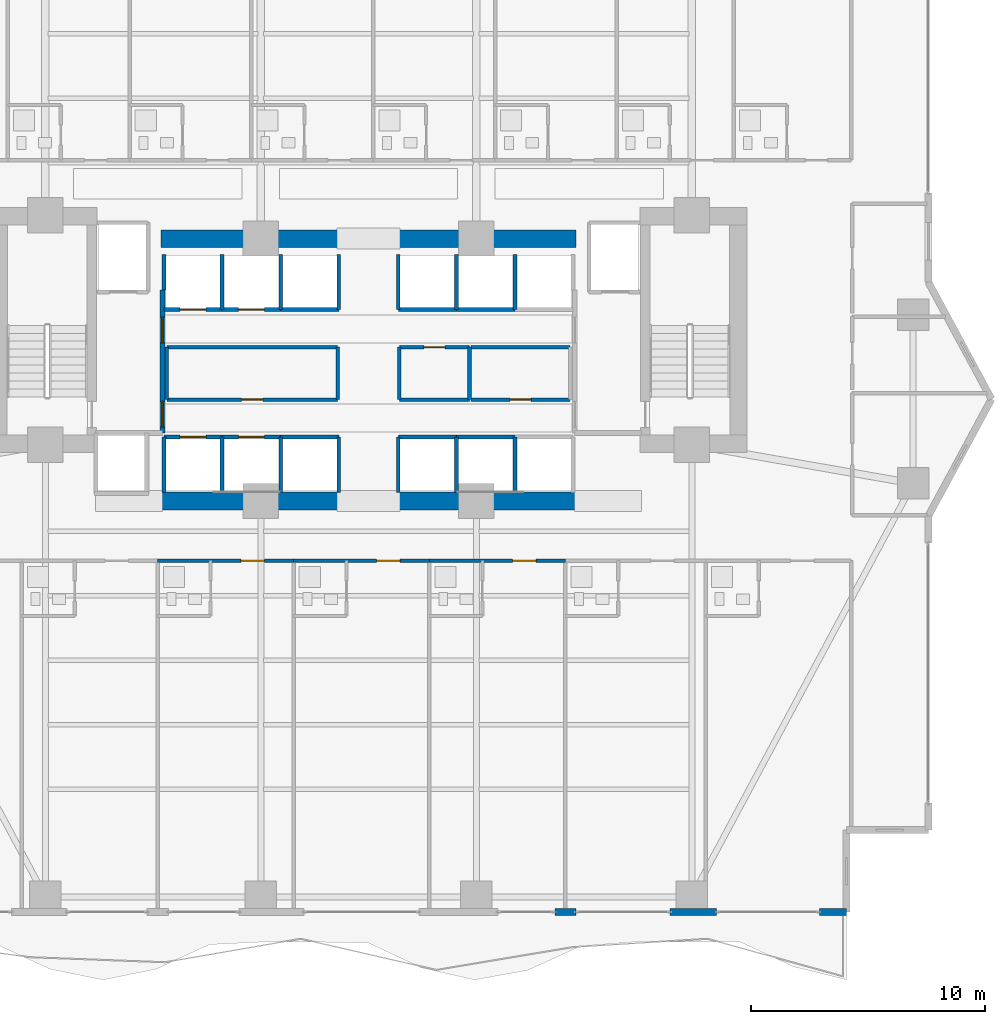
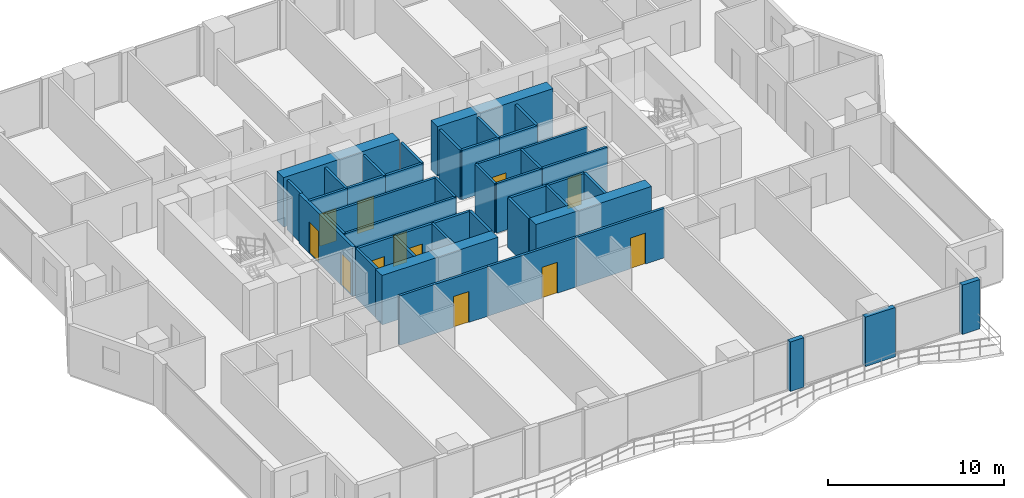
# One storey, part 22 of 29: 45 walls, 12 doors, 12 openings.
"""IFC4 building model written with IfcOpenShell, lengths in metres."""

from ifc_helpers import new_model, si_unit, direction, frame, frame_2d, origin, place, context, subcontext, project, spatial, rectangle, extrude, material, layer, layer_set, type_object, element, fill, save


model = new_model("IFC4")

# Units and contexts
model_context = context("Model", 3, precision=1e-05, world=origin(), true_north=direction((0.0, 1.0)))
body_context = subcontext(model_context, "Body", "Model", "MODEL_VIEW")
ifc_project = project(units=[si_unit("LENGTHUNIT", "METRE"), si_unit("AREAUNIT", "SQUARE_METRE"), si_unit("VOLUMEUNIT", "CUBIC_METRE"), si_unit("PLANEANGLEUNIT", "RADIAN"), si_unit("MASSUNIT", "GRAM", prefix="KILO")], contexts=[model_context])

# Site, building, storey
site_placement = place(None, origin())
site = spatial("IfcSite", under=ifc_project, at=site_placement, CompositionType="ELEMENT")
building_placement = place(site_placement, origin())
building = spatial("IfcBuilding", under=site, at=building_placement, Name="Zuhayl Quay Hotel", CompositionType="ELEMENT")
storey_placement = place(building_placement, frame((0.0, 0.0, 150.39990234375)))
storey = spatial("IfcBuildingStorey", under=building, at=storey_placement, Name="L38", CompositionType="ELEMENT", Elevation=150.39990234375)

# Walls
ifc_material_1 = material(Name="Concrete C60/75", Category="concrete")
ifc_layer_1 = layer(ifc_material_1, 0.75, Name="Concrete C60/75", Category="concrete")
ifc_layer_set_1 = layer_set([ifc_layer_1], Name="Concrete C60/75")
wall_type_1 = type_object("IfcWallType", Name="WL_CORE_750", PredefinedType="SHEAR", material=ifc_layer_set_1)
for number, where, z_axis, x_axis, name in (
    (1, (-8.85009765625, 2.14990234375, 0.0), (0.0, 0.0, 1.0), (1.0, 0.0, 0.0), "L38 Core Shear Wall CW_SC_W"),
    (2, (1.25, 2.14990234375, 0.0), (0.0, 0.0, 1.0), (1.0, 0.0, 0.0), "L38 Core Shear Wall CW_SC_E"),
    (3, (-8.85009765625, 13.35009765625, 0.0), (0.0, 0.0, 1.0), (1.0, 0.0, 0.0), "L38 Core Shear Wall CW_NC_W"),
    (4, (1.25, 13.35009765625, 0.0), (0.0, 0.0, 1.0), (1.0, 0.0, 0.0), "L38 Core Shear Wall CW_NC_E"),
):
    element("IfcWall", number, at=place(storey_placement, frame(where, z_axis=z_axis, x_axis=x_axis)), inside=storey, type_object=wall_type_1, Name=name, PredefinedType="SHEAR", context=body_context, shape_type="SweptSolid", body=[
        extrude(rectangle(XDim=7.60009765625, YDim=0.75, at=frame_2d((3.800048828125, 0.0))), origin(), (0.0, 0.0, 1.0), 3.43017578125),
    ])
ifc_material_2 = material(Name="Precast concrete C45/55", Category="concrete")
ifc_layer_2 = layer(ifc_material_2, 0.300048828125, Name="Precast concrete C45/55", Category="concrete")
ifc_layer_set_2 = layer_set([ifc_layer_2], Name="Precast concrete C45/55")
wall_type_2 = type_object("IfcWallType", Name="WL_EXT_300", PredefinedType="STANDARD", material=ifc_layer_set_2)
wall_1_placement = place(storey_placement, frame((20.39990234375, -15.39990234375, 0.0), z_axis=(0.0, 0.0, 1.0), x_axis=(-1.0, 0.0, 0.0)))
element("IfcWall", 5, at=wall_1_placement, inside=storey, type_object=wall_type_2, Name="L38 Exterior Precast Wall ENV_L38_S_EW1", PredefinedType="STANDARD", context=body_context, shape_type="SweptSolid", body=[
    extrude(rectangle(XDim=1.14990234375, YDim=0.300048828125, at=frame_2d((0.574951171875, 0.0))), origin(), (0.0, 0.0, 1.0), 3.43017578125),
])
wall_2_placement = place(storey_placement, frame((14.85009765625, -15.39990234375, 0.0), z_axis=(0.0, 0.0, 1.0), x_axis=(-1.0, 0.0, 0.0)))
element("IfcWall", 6, at=wall_2_placement, inside=storey, type_object=wall_type_2, Name="L38 Exterior Precast Wall ENV_L38_S_EW2", PredefinedType="STANDARD", context=body_context, shape_type="SweptSolid", body=[
    extrude(rectangle(XDim=1.97021484375, YDim=0.300048828125, at=frame_2d((0.985107421875, 0.0))), origin(), (0.0, 0.0, 1.0), 3.43017578125),
])
wall_3_placement = place(storey_placement, frame((8.85009765625, -15.39990234375, 0.0), z_axis=(0.0, 0.0, 1.0), x_axis=(-1.0, 0.0, 0.0)))
element("IfcWall", 7, at=wall_3_placement, inside=storey, type_object=wall_type_2, Name="L38 Exterior Precast Wall ENV_L38_S_EW3", PredefinedType="STANDARD", context=body_context, shape_type="SweptSolid", body=[
    extrude(rectangle(XDim=0.900146484375, YDim=0.300048828125, at=frame_2d((0.4501953125, 0.0))), origin(), (0.0, 0.0, 1.0), 3.43017578125),
])

# Wall, opening, door
ifc_material_3 = material(Name="Acoustic Gypsum Partition STC-58")
ifc_layer_3 = layer(ifc_material_3, 0.14990234375, Name="Acoustic Gypsum Partition STC-58")
ifc_layer_set_3 = layer_set([ifc_layer_3], Name="Acoustic Gypsum Partition STC-58")
wall_type_3 = type_object("IfcWallType", Name="WL_PART_150", PredefinedType="PARTITIONING", material=ifc_layer_set_3)
wall_4_placement = place(storey_placement, frame((-8.610107421875, 6.47998046875, 0.0), z_axis=(0.0, 0.0, 1.0), x_axis=(1.0, 0.0, 0.0)))
wall_4 = element("IfcWall", 8, at=wall_4_placement, inside=storey, type_object=wall_type_3, Name="L38 Partition IW_L38_CORE_EL_S", PredefinedType="PARTITIONING", context=body_context, shape_type="SweptSolid", body=[
    extrude(rectangle(XDim=7.2900390625, YDim=0.14990234375, at=frame_2d((3.64501953125, 0.0))), origin(), (0.0, 0.0, 1.0), 3.43017578125),
])
opening_1_placement = place(wall_4_placement, frame((3.195068359375, 0.0, 0.0)))
opening_1 = element("IfcOpeningElement", 9, at=opening_1_placement, cuts=wall_4, Name="Opening D06", PredefinedType="OPENING", context=body_context, shape_type="SweptSolid", body=[
    extrude(rectangle(XDim=0.89990234375, YDim=2.14990234375, at=frame_2d((0.449951171875, 1.074951171875))), frame((0.0, 0.0849609375, 0.0), z_axis=(0.0, -1.0, 0.0), x_axis=(1.0, 0.0, 0.0)), (0.0, 0.0, 1.0), 0.169921875),
])
ifc_material_4 = material(Name="Steel ASTM A992 Grade 50", Category="steel")
door_type_1 = type_object("IfcDoorType", Name="DR_INT_900", OperationType="NOTDEFINED", PredefinedType="DOOR", material=ifc_material_4)
door_1_placement = place(opening_1_placement, origin())
door_1 = element("IfcDoor", 10, at=door_1_placement, inside=storey, type_object=door_type_1, Name="L38 Floor Electrical Plant Room Door", OperationType="SINGLE_SWING_RIGHT", OverallHeight=2.14990234375, OverallWidth=0.89990234375, PredefinedType="DOOR", context=body_context, shape_type="SweptSolid", body=[
    extrude(rectangle(XDim=0.89990234375, YDim=2.14990234375, at=frame_2d((0.449951171875, 1.074951171875))), frame((0.0, 0.02490234375, 0.0), z_axis=(0.0, -1.0, 0.0), x_axis=(1.0, 0.0, 0.0)), (0.0, 0.0, 1.0), 0.050048828125),
])
fill(opening_1, door_1)

wall_5_placement = place(storey_placement, frame((1.320068359375, 8.719970703125, 0.0), z_axis=(0.0, 0.0, 1.0), x_axis=(1.0, 0.0, 0.0)))
wall_5 = element("IfcWall", 11, at=wall_5_placement, inside=storey, type_object=wall_type_3, Name="L38 Partition IW_L38_CORE_IT_N", PredefinedType="PARTITIONING", context=body_context, shape_type="SweptSolid", body=[
    extrude(rectangle(XDim=2.989990234375, YDim=0.14990234375, at=frame_2d((1.4951171875, 0.0))), origin(), (0.0, 0.0, 1.0), 3.43017578125),
])
opening_2_placement = place(wall_5_placement, frame((1.044921875, 0.0, 0.0)))
opening_2 = element("IfcOpeningElement", 12, at=opening_2_placement, cuts=wall_5, Name="Opening D06", PredefinedType="OPENING", context=body_context, shape_type="SweptSolid", body=[
    extrude(rectangle(XDim=0.89990234375, YDim=2.14990234375, at=frame_2d((0.449951171875, 1.074951171875))), frame((0.0, 0.0849609375, 0.0), z_axis=(0.0, -1.0, 0.0), x_axis=(1.0, 0.0, 0.0)), (0.0, 0.0, 1.0), 0.169921875),
])
door_2_placement = place(opening_2_placement, origin())
door_2 = element("IfcDoor", 13, at=door_2_placement, inside=storey, type_object=door_type_1, Name="L38 Telecom Closet Door", OperationType="SINGLE_SWING_LEFT", OverallHeight=2.14990234375, OverallWidth=0.89990234375, PredefinedType="DOOR", context=body_context, shape_type="SweptSolid", body=[
    extrude(rectangle(XDim=0.89990234375, YDim=2.14990234375, at=frame_2d((0.449951171875, 1.074951171875))), frame((0.0, 0.02490234375, 0.0), z_axis=(0.0, -1.0, 0.0), x_axis=(1.0, 0.0, 0.0)), (0.0, 0.0, 1.0), 0.050048828125),
])
fill(opening_2, door_2)

wall_6_placement = place(storey_placement, frame((4.3701171875, 6.47998046875, 0.0), z_axis=(0.0, 0.0, 1.0), x_axis=(1.0, 0.0, 0.0)))
wall_6 = element("IfcWall", 14, at=wall_6_placement, inside=storey, type_object=wall_type_3, Name="L38 Partition IW_L38_CORE_LN_S", PredefinedType="PARTITIONING", context=body_context, shape_type="SweptSolid", body=[
    extrude(rectangle(XDim=4.239990234375, YDim=0.14990234375, at=frame_2d((2.1201171875, 0.0))), origin(), (0.0, 0.0, 1.0), 3.43017578125),
])
opening_3_placement = place(wall_6_placement, frame((1.669921875, 0.0, 0.0)))
opening_3 = element("IfcOpeningElement", 15, at=opening_3_placement, cuts=wall_6, Name="Opening D06", PredefinedType="OPENING", context=body_context, shape_type="SweptSolid", body=[
    extrude(rectangle(XDim=0.89990234375, YDim=2.14990234375, at=frame_2d((0.449951171875, 1.074951171875))), frame((0.0, 0.0849609375, 0.0), z_axis=(0.0, -1.0, 0.0), x_axis=(1.0, 0.0, 0.0)), (0.0, 0.0, 1.0), 0.169921875),
])
door_3_placement = place(opening_3_placement, origin())
door_3 = element("IfcDoor", 16, at=door_3_placement, inside=storey, type_object=door_type_1, Name="L38 Core Linen Store Door", OperationType="SINGLE_SWING_RIGHT", OverallHeight=2.14990234375, OverallWidth=0.89990234375, PredefinedType="DOOR", context=body_context, shape_type="SweptSolid", body=[
    extrude(rectangle(XDim=0.89990234375, YDim=2.14990234375, at=frame_2d((0.449951171875, 1.074951171875))), frame((0.0, 0.02490234375, 0.0), z_axis=(0.0, -1.0, 0.0), x_axis=(1.0, 0.0, 0.0)), (0.0, 0.0, 1.0), 0.050048828125),
])
fill(opening_3, door_3)

# Walls
wall_7_placement = place(storey_placement, frame((-8.610107421875, 8.719970703125, 0.0), z_axis=(0.0, 0.0, 1.0), x_axis=(1.0, 0.0, 0.0)))
element("IfcWall", 17, at=wall_7_placement, inside=storey, type_object=wall_type_3, Name="L38 Partition IW_L38_CORE_EL_N", PredefinedType="PARTITIONING", context=body_context, shape_type="SweptSolid", body=[
    extrude(rectangle(XDim=7.2900390625, YDim=0.14990234375, at=frame_2d((3.64501953125, 0.0))), origin(), (0.0, 0.0, 1.0), 3.43017578125),
])
for number, where, z_axis, x_axis, name in (
    (18, (-8.610107421875, 6.47998046875, 0.0), (0.0, 0.0, 1.0), (0.0, 1.0, 0.0), "L38 Partition IW_L38_CORE_EL_W"),
    (19, (-1.320068359375, 6.47998046875, 0.0), (0.0, 0.0, 1.0), (0.0, 1.0, 0.0), "L38 Partition IW_L38_CORE_EL_E"),
):
    element("IfcWall", number, at=place(storey_placement, frame(where, z_axis=z_axis, x_axis=x_axis)), inside=storey, type_object=wall_type_3, Name=name, PredefinedType="PARTITIONING", context=body_context, shape_type="SweptSolid", body=[
        extrude(rectangle(XDim=2.239990234375, YDim=0.14990234375, at=frame_2d((1.1201171875, 0.0))), origin(), (0.0, 0.0, 1.0), 3.43017578125),
    ])
wall_8_placement = place(storey_placement, frame((1.320068359375, 6.47998046875, 0.0), z_axis=(0.0, 0.0, 1.0), x_axis=(1.0, 0.0, 0.0)))
element("IfcWall", 20, at=wall_8_placement, inside=storey, type_object=wall_type_3, Name="L38 Partition IW_L38_CORE_IT_S", PredefinedType="PARTITIONING", context=body_context, shape_type="SweptSolid", body=[
    extrude(rectangle(XDim=2.989990234375, YDim=0.14990234375, at=frame_2d((1.4951171875, 0.0))), origin(), (0.0, 0.0, 1.0), 3.43017578125),
])
for number, where, z_axis, x_axis, name in (
    (21, (1.320068359375, 6.47998046875, 0.0), (0.0, 0.0, 1.0), (0.0, 1.0, 0.0), "L38 Partition IW_L38_CORE_IT_W"),
    (22, (4.31005859375, 6.47998046875, 0.0), (0.0, 0.0, 1.0), (0.0, 1.0, 0.0), "L38 Partition IW_L38_CORE_IT_E"),
):
    element("IfcWall", number, at=place(storey_placement, frame(where, z_axis=z_axis, x_axis=x_axis)), inside=storey, type_object=wall_type_3, Name=name, PredefinedType="PARTITIONING", context=body_context, shape_type="SweptSolid", body=[
        extrude(rectangle(XDim=2.239990234375, YDim=0.14990234375, at=frame_2d((1.1201171875, 0.0))), origin(), (0.0, 0.0, 1.0), 3.43017578125),
    ])
wall_9_placement = place(storey_placement, frame((4.3701171875, 8.719970703125, 0.0), z_axis=(0.0, 0.0, 1.0), x_axis=(1.0, 0.0, 0.0)))
element("IfcWall", 23, at=wall_9_placement, inside=storey, type_object=wall_type_3, Name="L38 Partition IW_L38_CORE_LN_N", PredefinedType="PARTITIONING", context=body_context, shape_type="SweptSolid", body=[
    extrude(rectangle(XDim=4.239990234375, YDim=0.14990234375, at=frame_2d((2.1201171875, 0.0))), origin(), (0.0, 0.0, 1.0), 3.43017578125),
])

# Wall, opening, door
ifc_layer_4 = layer(ifc_material_3, 0.159912109375, Name="Acoustic Gypsum Partition STC-58")
ifc_layer_set_4 = layer_set([ifc_layer_4], Name="Acoustic Gypsum Partition STC-58")
wall_type_4 = type_object("IfcWallType", Name="WL_PART_CORR_160", PredefinedType="PARTITIONING", material=ifc_layer_set_4)
wall_10_placement = place(storey_placement, frame((-9.0, -0.39990234375, 0.0), z_axis=(0.0, 0.0, 1.0), x_axis=(1.0, 0.0, 0.0)))
wall_10 = element("IfcWall", 24, at=wall_10_placement, inside=storey, type_object=wall_type_4, Name="L38 Partition IW_L38_SU03_COR", PredefinedType="PARTITIONING", context=body_context, shape_type="SweptSolid", body=[
    extrude(rectangle(XDim=5.800048828125, YDim=0.159912109375, at=frame_2d((2.89990234375, 0.0))), origin(), (0.0, 0.0, 1.0), 3.43017578125),
])
opening_4_placement = place(wall_10_placement, frame((3.550048828125, 0.0, 0.0)))
opening_4 = element("IfcOpeningElement", 25, at=opening_4_placement, cuts=wall_10, Name="Opening D03L", PredefinedType="OPENING", context=body_context, shape_type="SweptSolid", body=[
    extrude(rectangle(XDim=1.0, YDim=2.14990234375, at=frame_2d((0.5, 1.074951171875))), frame((0.0, 0.08984375, 0.0), z_axis=(0.0, -1.0, 0.0), x_axis=(1.0, 0.0, 0.0)), (0.0, 0.0, 1.0), 0.179931640625),
])
ifc_material_5 = material(Name="Solid Walnut Acoustic Fire Door")
door_type_2 = type_object("IfcDoorType", Name="DR_SUITE_1000", OperationType="NOTDEFINED", PredefinedType="DOOR", material=ifc_material_5)
door_4_placement = place(opening_4_placement, origin())
door_4 = element("IfcDoor", 26, at=door_4_placement, inside=storey, type_object=door_type_2, Name="L38 Premier Twin Junior Suite L38-03 Entrance Door", OperationType="SINGLE_SWING_RIGHT", OverallHeight=2.14990234375, OverallWidth=1.0, PredefinedType="DOOR", context=body_context, shape_type="SweptSolid", body=[
    extrude(rectangle(XDim=1.0, YDim=2.14990234375, at=frame_2d((0.5, 1.074951171875))), frame((0.0, 0.02490234375, 0.0), z_axis=(0.0, -1.0, 0.0), x_axis=(1.0, 0.0, 0.0)), (0.0, 0.0, 1.0), 0.050048828125),
])
fill(opening_4, door_4)

wall_11_placement = place(storey_placement, frame((-3.199951171875, -0.39990234375, 0.0), z_axis=(0.0, 0.0, 1.0), x_axis=(1.0, 0.0, 0.0)))
wall_11 = element("IfcWall", 27, at=wall_11_placement, inside=storey, type_object=wall_type_4, Name="L38 Partition IW_L38_SU04_COR", PredefinedType="PARTITIONING", context=body_context, shape_type="SweptSolid", body=[
    extrude(rectangle(XDim=5.800048828125, YDim=0.159912109375, at=frame_2d((2.89990234375, 0.0))), origin(), (0.0, 0.0, 1.0), 3.43017578125),
])
opening_5_placement = place(wall_11_placement, frame((3.550048828125, 0.0, 0.0)))
opening_5 = element("IfcOpeningElement", 28, at=opening_5_placement, cuts=wall_11, Name="Opening D03L", PredefinedType="OPENING", context=body_context, shape_type="SweptSolid", body=[
    extrude(rectangle(XDim=1.0, YDim=2.14990234375, at=frame_2d((0.5, 1.074951171875))), frame((0.0, 0.08984375, 0.0), z_axis=(0.0, -1.0, 0.0), x_axis=(1.0, 0.0, 0.0)), (0.0, 0.0, 1.0), 0.179931640625),
])
door_5_placement = place(opening_5_placement, origin())
door_5 = element("IfcDoor", 29, at=door_5_placement, inside=storey, type_object=door_type_2, Name="L38 Premier Twin Junior Suite L38-04 Entrance Door", OperationType="SINGLE_SWING_RIGHT", OverallHeight=2.14990234375, OverallWidth=1.0, PredefinedType="DOOR", context=body_context, shape_type="SweptSolid", body=[
    extrude(rectangle(XDim=1.0, YDim=2.14990234375, at=frame_2d((0.5, 1.074951171875))), frame((0.0, 0.02490234375, 0.0), z_axis=(0.0, -1.0, 0.0), x_axis=(1.0, 0.0, 0.0)), (0.0, 0.0, 1.0), 0.050048828125),
])
fill(opening_5, door_5)

wall_12_placement = place(storey_placement, frame((2.60009765625, -0.39990234375, 0.0), z_axis=(0.0, 0.0, 1.0), x_axis=(1.0, 0.0, 0.0)))
wall_12 = element("IfcWall", 30, at=wall_12_placement, inside=storey, type_object=wall_type_4, Name="L38 Partition IW_L38_SU05_COR", PredefinedType="PARTITIONING", context=body_context, shape_type="SweptSolid", body=[
    extrude(rectangle(XDim=5.7998046875, YDim=0.159912109375, at=frame_2d((2.89990234375, 0.0))), origin(), (0.0, 0.0, 1.0), 3.43017578125),
])
opening_6_placement = place(wall_12_placement, frame((3.550048828125, 0.0, 0.0)))
opening_6 = element("IfcOpeningElement", 31, at=opening_6_placement, cuts=wall_12, Name="Opening D03L", PredefinedType="OPENING", context=body_context, shape_type="SweptSolid", body=[
    extrude(rectangle(XDim=1.0, YDim=2.14990234375, at=frame_2d((0.5, 1.074951171875))), frame((0.0, 0.08984375, 0.0), z_axis=(0.0, -1.0, 0.0), x_axis=(1.0, 0.0, 0.0)), (0.0, 0.0, 1.0), 0.179931640625),
])
door_6_placement = place(opening_6_placement, origin())
door_6 = element("IfcDoor", 32, at=door_6_placement, inside=storey, type_object=door_type_2, Name="L38 Premier Twin Junior Suite L38-05 Entrance Door", OperationType="SINGLE_SWING_RIGHT", OverallHeight=2.14990234375, OverallWidth=1.0, PredefinedType="DOOR", context=body_context, shape_type="SweptSolid", body=[
    extrude(rectangle(XDim=1.0, YDim=2.14990234375, at=frame_2d((0.5, 1.074951171875))), frame((0.0, 0.02490234375, 0.0), z_axis=(0.0, -1.0, 0.0), x_axis=(1.0, 0.0, 0.0)), (0.0, 0.0, 1.0), 0.050048828125),
])
fill(opening_6, door_6)

ifc_material_6 = material(Name="Gypsum Fireboard Assembly EI-90")
ifc_layer_5 = layer(ifc_material_6, 0.1650390625, Name="Gypsum Fireboard Assembly EI-90")
ifc_layer_set_5 = layer_set([ifc_layer_5], Name="Gypsum Fireboard Assembly EI-90")
wall_type_5 = type_object("IfcWallType", Name="WL_PART_SHAFT_160", PredefinedType="PARTITIONING", material=ifc_layer_set_5)
wall_13_placement = place(storey_placement, frame((-8.72998046875, 4.8798828125, 0.0), z_axis=(0.0, 0.0, 1.0), x_axis=(1.0, 0.0, 0.0)))
wall_13 = element("IfcWall", 33, at=wall_13_placement, inside=storey, type_object=wall_type_5, Name="L38 Partition IW_L38_SH_LP1_F", PredefinedType="PARTITIONING", context=body_context, shape_type="SweptSolid", body=[
    extrude(rectangle(XDim=2.47998046875, YDim=0.1650390625, at=frame_2d((1.239990234375, 0.0))), origin(), (0.0, 0.0, 1.0), 3.43017578125),
])
opening_7_placement = place(wall_13_placement, frame((0.68994140625, 0.0, 0.0)))
opening_7 = element("IfcOpeningElement", 34, at=opening_7_placement, cuts=wall_13, Name="Opening LD1", PredefinedType="OPENING", context=body_context, shape_type="SweptSolid", body=[
    extrude(rectangle(XDim=1.10009765625, YDim=2.25, at=frame_2d((0.550048828125, 1.125))), frame((0.0, 0.092529296875, 0.0), z_axis=(0.0, -1.0, 0.0), x_axis=(1.0, 0.0, 0.0)), (0.0, 0.0, 1.0), 0.18505859375),
])
ifc_material_7 = material(Name="Brushed Stainless Steel", Category="steel")
door_type_3 = type_object("IfcDoorType", Name="DR_LIFT_PASS_1100", OperationType="SLIDING_TO_LEFT", PredefinedType="DOOR", material=ifc_material_7)
door_7_placement = place(opening_7_placement, origin())
door_7 = element("IfcDoor", 35, at=door_7_placement, inside=storey, type_object=door_type_3, Name="L38 Lift LP1 Sliding Landing Door", OperationType="SLIDING_TO_LEFT", OverallHeight=2.25, OverallWidth=1.10009765625, PredefinedType="DOOR", context=body_context, shape_type="SweptSolid", body=[
    extrude(rectangle(XDim=1.10009765625, YDim=2.25, at=frame_2d((0.550048828125, 1.125))), frame((0.0, 0.02490234375, 0.0), z_axis=(0.0, -1.0, 0.0), x_axis=(1.0, 0.0, 0.0)), (0.0, 0.0, 1.0), 0.050048828125),
])
fill(opening_7, door_7)

wall_14_placement = place(storey_placement, frame((-6.25, 4.8798828125, 0.0), z_axis=(0.0, 0.0, 1.0), x_axis=(1.0, 0.0, 0.0)))
wall_14 = element("IfcWall", 36, at=wall_14_placement, inside=storey, type_object=wall_type_5, Name="L38 Partition IW_L38_SH_LP2_F", PredefinedType="PARTITIONING", context=body_context, shape_type="SweptSolid", body=[
    extrude(rectangle(XDim=2.5, YDim=0.1650390625, at=frame_2d((1.25, 0.0))), origin(), (0.0, 0.0, 1.0), 3.43017578125),
])
opening_8_placement = place(wall_14_placement, frame((0.699951171875, 0.0, 0.0)))
opening_8 = element("IfcOpeningElement", 37, at=opening_8_placement, cuts=wall_14, Name="Opening LD1", PredefinedType="OPENING", context=body_context, shape_type="SweptSolid", body=[
    extrude(rectangle(XDim=1.10009765625, YDim=2.25, at=frame_2d((0.550048828125, 1.125))), frame((0.0, 0.092529296875, 0.0), z_axis=(0.0, -1.0, 0.0), x_axis=(1.0, 0.0, 0.0)), (0.0, 0.0, 1.0), 0.18505859375),
])
door_8_placement = place(opening_8_placement, origin())
door_8 = element("IfcDoor", 38, at=door_8_placement, inside=storey, type_object=door_type_3, Name="L38 Lift LP2 Sliding Landing Door", OperationType="SLIDING_TO_LEFT", OverallHeight=2.25, OverallWidth=1.10009765625, PredefinedType="DOOR", context=body_context, shape_type="SweptSolid", body=[
    extrude(rectangle(XDim=1.10009765625, YDim=2.25, at=frame_2d((0.550048828125, 1.125))), frame((0.0, 0.02490234375, 0.0), z_axis=(0.0, -1.0, 0.0), x_axis=(1.0, 0.0, 0.0)), (0.0, 0.0, 1.0), 0.050048828125),
])
fill(opening_8, door_8)

wall_15_placement = place(storey_placement, frame((-8.72998046875, 10.320068359375, 0.0), z_axis=(0.0, 0.0, 1.0), x_axis=(1.0, 0.0, 0.0)))
wall_15 = element("IfcWall", 39, at=wall_15_placement, inside=storey, type_object=wall_type_5, Name="L38 Partition IW_L38_SH_LP3_F", PredefinedType="PARTITIONING", context=body_context, shape_type="SweptSolid", body=[
    extrude(rectangle(XDim=2.47998046875, YDim=0.1650390625, at=frame_2d((1.239990234375, 0.0))), origin(), (0.0, 0.0, 1.0), 3.43017578125),
])
opening_9_placement = place(wall_15_placement, frame((0.68994140625, 0.0, 0.0)))
opening_9 = element("IfcOpeningElement", 40, at=opening_9_placement, cuts=wall_15, Name="Opening LD1", PredefinedType="OPENING", context=body_context, shape_type="SweptSolid", body=[
    extrude(rectangle(XDim=1.10009765625, YDim=2.25, at=frame_2d((0.550048828125, 1.125))), frame((0.0, 0.092529296875, 0.0), z_axis=(0.0, -1.0, 0.0), x_axis=(1.0, 0.0, 0.0)), (0.0, 0.0, 1.0), 0.18505859375),
])
door_9_placement = place(opening_9_placement, origin())
door_9 = element("IfcDoor", 41, at=door_9_placement, inside=storey, type_object=door_type_3, Name="L38 Lift LP3 Sliding Landing Door", OperationType="SLIDING_TO_LEFT", OverallHeight=2.25, OverallWidth=1.10009765625, PredefinedType="DOOR", context=body_context, shape_type="SweptSolid", body=[
    extrude(rectangle(XDim=1.10009765625, YDim=2.25, at=frame_2d((0.550048828125, 1.125))), frame((0.0, 0.02490234375, 0.0), z_axis=(0.0, -1.0, 0.0), x_axis=(1.0, 0.0, 0.0)), (0.0, 0.0, 1.0), 0.050048828125),
])
fill(opening_9, door_9)

wall_16_placement = place(storey_placement, frame((-6.25, 10.320068359375, 0.0), z_axis=(0.0, 0.0, 1.0), x_axis=(1.0, 0.0, 0.0)))
wall_16 = element("IfcWall", 42, at=wall_16_placement, inside=storey, type_object=wall_type_5, Name="L38 Partition IW_L38_SH_LP4_F", PredefinedType="PARTITIONING", context=body_context, shape_type="SweptSolid", body=[
    extrude(rectangle(XDim=2.5, YDim=0.1650390625, at=frame_2d((1.25, 0.0))), origin(), (0.0, 0.0, 1.0), 3.43017578125),
])
opening_10_placement = place(wall_16_placement, frame((0.699951171875, 0.0, 0.0)))
opening_10 = element("IfcOpeningElement", 43, at=opening_10_placement, cuts=wall_16, Name="Opening LD1", PredefinedType="OPENING", context=body_context, shape_type="SweptSolid", body=[
    extrude(rectangle(XDim=1.10009765625, YDim=2.25, at=frame_2d((0.550048828125, 1.125))), frame((0.0, 0.092529296875, 0.0), z_axis=(0.0, -1.0, 0.0), x_axis=(1.0, 0.0, 0.0)), (0.0, 0.0, 1.0), 0.18505859375),
])
door_10_placement = place(opening_10_placement, origin())
door_10 = element("IfcDoor", 44, at=door_10_placement, inside=storey, type_object=door_type_3, Name="L38 Lift LP4 Sliding Landing Door", OperationType="SLIDING_TO_LEFT", OverallHeight=2.25, OverallWidth=1.10009765625, PredefinedType="DOOR", context=body_context, shape_type="SweptSolid", body=[
    extrude(rectangle(XDim=1.10009765625, YDim=2.25, at=frame_2d((0.550048828125, 1.125))), frame((0.0, 0.02490234375, 0.0), z_axis=(0.0, -1.0, 0.0), x_axis=(1.0, 0.0, 0.0)), (0.0, 0.0, 1.0), 0.050048828125),
])
fill(opening_10, door_10)

# Walls
for number, where, z_axis, x_axis, name in (
    (45, (-8.72998046875, 2.52001953125, 0.0), (0.0, 0.0, 1.0), (0.0, 1.0, 0.0), "L38 Partition IW_L38_SH_LP1_W"),
    (46, (-6.25, 2.52001953125, 0.0), (0.0, 0.0, 1.0), (0.0, 1.0, 0.0), "L38 Partition IW_L38_SH_LP1_E"),
    (47, (-3.75, 2.52001953125, 0.0), (0.0, 0.0, 1.0), (0.0, 1.0, 0.0), "L38 Partition IW_L38_SH_LP2_E"),
):
    element("IfcWall", number, at=place(storey_placement, frame(where, z_axis=z_axis, x_axis=x_axis)), inside=storey, type_object=wall_type_5, Name=name, PredefinedType="PARTITIONING", context=body_context, shape_type="SweptSolid", body=[
        extrude(rectangle(XDim=2.35986328125, YDim=0.1650390625, at=frame_2d((1.179931640625, 0.0))), origin(), (0.0, 0.0, 1.0), 3.43017578125),
    ])
wall_17_placement = place(storey_placement, frame((-8.72998046875, 11.14990234375, 0.0), z_axis=(0.0, 0.0, 1.0), x_axis=(0.0, 1.0, 0.0)))
element("IfcWall", 48, at=wall_17_placement, inside=storey, type_object=wall_type_5, Name="L38 Partition IW_L38_SH_LP3_W", PredefinedType="PARTITIONING", context=body_context, shape_type="SweptSolid", body=[
    extrude(rectangle(XDim=1.530029296875, YDim=0.1650390625, at=frame_2d((0.76513671875, 0.0))), origin(), (0.0, 0.0, 1.0), 3.43017578125),
])
for number, where, z_axis, x_axis, name in (
    (49, (-6.25, 10.320068359375, 0.0), (0.0, 0.0, 1.0), (0.0, 1.0, 0.0), "L38 Partition IW_L38_SH_LP3_E"),
    (50, (-3.75, 10.320068359375, 0.0), (0.0, 0.0, 1.0), (0.0, 1.0, 0.0), "L38 Partition IW_L38_SH_LP4_E"),
):
    element("IfcWall", number, at=place(storey_placement, frame(where, z_axis=z_axis, x_axis=x_axis)), inside=storey, type_object=wall_type_5, Name=name, PredefinedType="PARTITIONING", context=body_context, shape_type="SweptSolid", body=[
        extrude(rectangle(XDim=2.35986328125, YDim=0.1650390625, at=frame_2d((1.179931640625, 0.0))), origin(), (0.0, 0.0, 1.0), 3.43017578125),
    ])
wall_18_placement = place(storey_placement, frame((-3.75, 4.8798828125, 0.0), z_axis=(0.0, 0.0, 1.0), x_axis=(1.0, 0.0, 0.0)))
element("IfcWall", 51, at=wall_18_placement, inside=storey, type_object=wall_type_5, Name="L38 Partition IW_L38_SH_MP1_F", PredefinedType="PARTITIONING", context=body_context, shape_type="SweptSolid", body=[
    extrude(rectangle(XDim=2.47998046875, YDim=0.1650390625, at=frame_2d((1.239990234375, 0.0))), origin(), (0.0, 0.0, 1.0), 3.43017578125),
])
wall_19_placement = place(storey_placement, frame((-1.27001953125, 2.52001953125, 0.0), z_axis=(0.0, 0.0, 1.0), x_axis=(0.0, 1.0, 0.0)))
element("IfcWall", 52, at=wall_19_placement, inside=storey, type_object=wall_type_5, Name="L38 Partition IW_L38_SH_MP1_E", PredefinedType="PARTITIONING", context=body_context, shape_type="SweptSolid", body=[
    extrude(rectangle(XDim=2.35986328125, YDim=0.1650390625, at=frame_2d((1.179931640625, 0.0))), origin(), (0.0, 0.0, 1.0), 3.43017578125),
])
wall_20_placement = place(storey_placement, frame((1.27001953125, 4.8798828125, 0.0), z_axis=(0.0, 0.0, 1.0), x_axis=(1.0, 0.0, 0.0)))
element("IfcWall", 53, at=wall_20_placement, inside=storey, type_object=wall_type_5, Name="L38 Partition IW_L38_SH_MP2_F", PredefinedType="PARTITIONING", context=body_context, shape_type="SweptSolid", body=[
    extrude(rectangle(XDim=2.47998046875, YDim=0.1650390625, at=frame_2d((1.239990234375, 0.0))), origin(), (0.0, 0.0, 1.0), 3.43017578125),
])
for number, where, z_axis, x_axis, name in (
    (54, (1.27001953125, 2.52001953125, 0.0), (0.0, 0.0, 1.0), (0.0, 1.0, 0.0), "L38 Partition IW_L38_SH_MP2_W"),
    (55, (3.75, 2.52001953125, 0.0), (0.0, 0.0, 1.0), (0.0, 1.0, 0.0), "L38 Partition IW_L38_SH_MP2_E"),
):
    element("IfcWall", number, at=place(storey_placement, frame(where, z_axis=z_axis, x_axis=x_axis)), inside=storey, type_object=wall_type_5, Name=name, PredefinedType="PARTITIONING", context=body_context, shape_type="SweptSolid", body=[
        extrude(rectangle(XDim=2.35986328125, YDim=0.1650390625, at=frame_2d((1.179931640625, 0.0))), origin(), (0.0, 0.0, 1.0), 3.43017578125),
    ])
wall_21_placement = place(storey_placement, frame((-3.75, 10.320068359375, 0.0), z_axis=(0.0, 0.0, 1.0), x_axis=(1.0, 0.0, 0.0)))
element("IfcWall", 56, at=wall_21_placement, inside=storey, type_object=wall_type_5, Name="L38 Partition IW_L38_SH_MP3_F", PredefinedType="PARTITIONING", context=body_context, shape_type="SweptSolid", body=[
    extrude(rectangle(XDim=2.47998046875, YDim=0.1650390625, at=frame_2d((1.239990234375, 0.0))), origin(), (0.0, 0.0, 1.0), 3.43017578125),
])
wall_22_placement = place(storey_placement, frame((-1.27001953125, 10.320068359375, 0.0), z_axis=(0.0, 0.0, 1.0), x_axis=(0.0, 1.0, 0.0)))
element("IfcWall", 57, at=wall_22_placement, inside=storey, type_object=wall_type_5, Name="L38 Partition IW_L38_SH_MP3_E", PredefinedType="PARTITIONING", context=body_context, shape_type="SweptSolid", body=[
    extrude(rectangle(XDim=2.35986328125, YDim=0.1650390625, at=frame_2d((1.179931640625, 0.0))), origin(), (0.0, 0.0, 1.0), 3.43017578125),
])
wall_23_placement = place(storey_placement, frame((1.27001953125, 10.320068359375, 0.0), z_axis=(0.0, 0.0, 1.0), x_axis=(1.0, 0.0, 0.0)))
element("IfcWall", 58, at=wall_23_placement, inside=storey, type_object=wall_type_5, Name="L38 Partition IW_L38_SH_MP4_F", PredefinedType="PARTITIONING", context=body_context, shape_type="SweptSolid", body=[
    extrude(rectangle(XDim=2.47998046875, YDim=0.1650390625, at=frame_2d((1.239990234375, 0.0))), origin(), (0.0, 0.0, 1.0), 3.43017578125),
])
for number, where, z_axis, x_axis, name in (
    (59, (1.27001953125, 10.320068359375, 0.0), (0.0, 0.0, 1.0), (0.0, 1.0, 0.0), "L38 Partition IW_L38_SH_MP4_W"),
    (60, (3.75, 10.320068359375, 0.0), (0.0, 0.0, 1.0), (0.0, 1.0, 0.0), "L38 Partition IW_L38_SH_MP4_E"),
):
    element("IfcWall", number, at=place(storey_placement, frame(where, z_axis=z_axis, x_axis=x_axis)), inside=storey, type_object=wall_type_5, Name=name, PredefinedType="PARTITIONING", context=body_context, shape_type="SweptSolid", body=[
        extrude(rectangle(XDim=2.35986328125, YDim=0.1650390625, at=frame_2d((1.179931640625, 0.0))), origin(), (0.0, 0.0, 1.0), 3.43017578125),
    ])
wall_24_placement = place(storey_placement, frame((3.75, 4.8798828125, 0.0), z_axis=(0.0, 0.0, 1.0), x_axis=(1.0, 0.0, 0.0)))
element("IfcWall", 61, at=wall_24_placement, inside=storey, type_object=wall_type_5, Name="L38 Partition IW_L38_SH_HP1_F", PredefinedType="PARTITIONING", context=body_context, shape_type="SweptSolid", body=[
    extrude(rectangle(XDim=2.5, YDim=0.1650390625, at=frame_2d((1.25, 0.0))), origin(), (0.0, 0.0, 1.0), 3.43017578125),
])
wall_25_placement = place(storey_placement, frame((6.25, 2.52001953125, 0.0), z_axis=(0.0, 0.0, 1.0), x_axis=(0.0, 1.0, 0.0)))
element("IfcWall", 62, at=wall_25_placement, inside=storey, type_object=wall_type_5, Name="L38 Partition IW_L38_SH_HP1_E", PredefinedType="PARTITIONING", context=body_context, shape_type="SweptSolid", body=[
    extrude(rectangle(XDim=2.35986328125, YDim=0.1650390625, at=frame_2d((1.179931640625, 0.0))), origin(), (0.0, 0.0, 1.0), 3.43017578125),
])
wall_26_placement = place(storey_placement, frame((3.75, 10.320068359375, 0.0), z_axis=(0.0, 0.0, 1.0), x_axis=(1.0, 0.0, 0.0)))
element("IfcWall", 63, at=wall_26_placement, inside=storey, type_object=wall_type_5, Name="L38 Partition IW_L38_SH_HP3_F", PredefinedType="PARTITIONING", context=body_context, shape_type="SweptSolid", body=[
    extrude(rectangle(XDim=2.5, YDim=0.1650390625, at=frame_2d((1.25, 0.0))), origin(), (0.0, 0.0, 1.0), 3.43017578125),
])
wall_27_placement = place(storey_placement, frame((6.25, 10.320068359375, 0.0), z_axis=(0.0, 0.0, 1.0), x_axis=(0.0, 1.0, 0.0)))
element("IfcWall", 64, at=wall_27_placement, inside=storey, type_object=wall_type_5, Name="L38 Partition IW_L38_SH_HP3_E", PredefinedType="PARTITIONING", context=body_context, shape_type="SweptSolid", body=[
    extrude(rectangle(XDim=2.35986328125, YDim=0.1650390625, at=frame_2d((1.179931640625, 0.0))), origin(), (0.0, 0.0, 1.0), 3.43017578125),
])

# Wall, openings, doors
ifc_material_8 = material(Name="Gypsum Fireboard Assembly EI-120")
ifc_layer_6 = layer(ifc_material_8, 0.199951171875, Name="Gypsum Fireboard Assembly EI-120")
ifc_layer_set_6 = layer_set([ifc_layer_6], Name="Gypsum Fireboard Assembly EI-120")
wall_type_6 = type_object("IfcWallType", Name="WL_PART_SHAFT_200", PredefinedType="PARTITIONING", material=ifc_layer_set_6)
wall_28_placement = place(storey_placement, frame((-8.800048828125, 5.050048828125, 0.0), z_axis=(0.0, 0.0, 1.0), x_axis=(0.0, 1.0, 0.0)))
wall_28 = element("IfcWall", 65, at=wall_28_placement, inside=storey, type_object=wall_type_6, Name="L38 Partition IW_L38_FSAE_W_E", PredefinedType="PARTITIONING", context=body_context, shape_type="SweptSolid", body=[
    extrude(rectangle(XDim=6.099853515625, YDim=0.199951171875, at=frame_2d((3.0498046875, 0.0))), origin(), (0.0, 0.0, 1.0), 3.43017578125),
])
opening_11_placement = place(wall_28_placement, frame((0.25, 0.0, 0.0)))
opening_11 = element("IfcOpeningElement", 66, at=opening_11_placement, cuts=wall_28, Name="Opening D02", PredefinedType="OPENING", context=body_context, shape_type="SweptSolid", body=[
    extrude(rectangle(XDim=1.10009765625, YDim=2.199951171875, at=frame_2d((0.550048828125, 1.10009765625))), frame((0.0, 0.10986328125, 0.0), z_axis=(0.0, -1.0, 0.0), x_axis=(1.0, 0.0, 0.0)), (0.0, 0.0, 1.0), 0.219970703125),
])
opening_12_placement = place(wall_28_placement, frame((3.85009765625, 0.0, 0.0)))
opening_12 = element("IfcOpeningElement", 67, at=opening_12_placement, cuts=wall_28, Name="Opening D02", PredefinedType="OPENING", context=body_context, shape_type="SweptSolid", body=[
    extrude(rectangle(XDim=1.10009765625, YDim=2.199951171875, at=frame_2d((0.550048828125, 1.10009765625))), frame((0.0, 0.10986328125, 0.0), z_axis=(0.0, -1.0, 0.0), x_axis=(1.0, 0.0, 0.0)), (0.0, 0.0, 1.0), 0.219970703125),
])
door_type_4 = type_object("IfcDoorType", Name="DR_FIRE_90_1100", OperationType="NOTDEFINED", PredefinedType="DOOR", material=ifc_material_4)
door_11_placement = place(opening_11_placement, origin())
door_11 = element("IfcDoor", 68, at=door_11_placement, inside=storey, type_object=door_type_4, Name="L38 FSAE Lobby West South Entry Door", OperationType="SINGLE_SWING_RIGHT", OverallHeight=2.199951171875, OverallWidth=1.10009765625, PredefinedType="DOOR", context=body_context, shape_type="SweptSolid", body=[
    extrude(rectangle(XDim=1.10009765625, YDim=2.199951171875, at=frame_2d((0.550048828125, 1.10009765625))), frame((0.0, 0.02490234375, 0.0), z_axis=(0.0, -1.0, 0.0), x_axis=(1.0, 0.0, 0.0)), (0.0, 0.0, 1.0), 0.050048828125),
])
fill(opening_11, door_11)
door_12_placement = place(opening_12_placement, origin())
door_12 = element("IfcDoor", 69, at=door_12_placement, inside=storey, type_object=door_type_4, Name="L38 FSAE Lobby West North Entry Door", OperationType="SINGLE_SWING_LEFT", OverallHeight=2.199951171875, OverallWidth=1.10009765625, PredefinedType="DOOR", context=body_context, shape_type="SweptSolid", body=[
    extrude(rectangle(XDim=1.10009765625, YDim=2.199951171875, at=frame_2d((0.550048828125, 1.10009765625))), frame((0.0, 0.02490234375, 0.0), z_axis=(0.0, -1.0, 0.0), x_axis=(1.0, 0.0, 0.0)), (0.0, 0.0, 1.0), 0.050048828125),
])
fill(opening_12, door_12)

save(model, "model.ifc")
